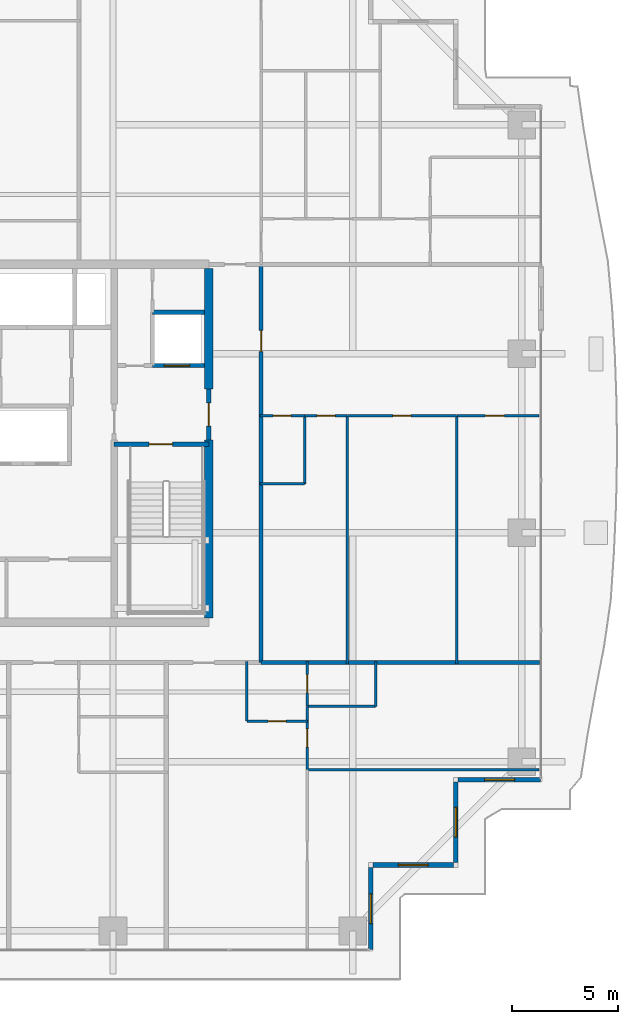
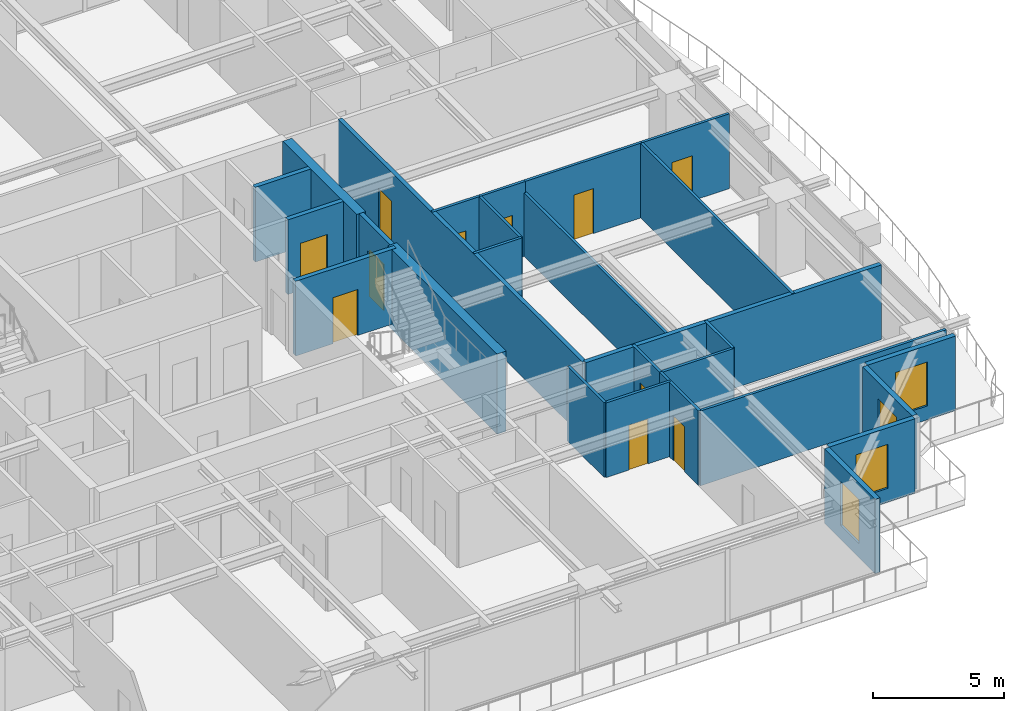
# One storey, part 25 of 33: 27 walls, 11 doors, 4 windows, 15 openings.
"""IFC4 building model written with IfcOpenShell, lengths in metres."""

from ifc_helpers import new_model, si_unit, direction, frame, frame_2d, origin, place, context, subcontext, project, spatial, rectangle, extrude, source, transform, mapped, material, layer, layer_set, type_object, element, fill, save


model = new_model("IFC4")

# Units and contexts
model_context = context("Model", 3, precision=1e-05, world=origin(), true_north=direction((0.0, 1.0)))
body_context = subcontext(model_context, "Body", "Model", "MODEL_VIEW")
ifc_project = project(units=[si_unit("LENGTHUNIT", "METRE"), si_unit("AREAUNIT", "SQUARE_METRE"), si_unit("VOLUMEUNIT", "CUBIC_METRE"), si_unit("PLANEANGLEUNIT", "RADIAN"), si_unit("MASSUNIT", "GRAM", prefix="KILO")], contexts=[model_context])

# Site, building, storey
site_placement = place(None, origin())
site = spatial("IfcSite", under=ifc_project, at=site_placement, CompositionType="ELEMENT")
building_placement = place(site_placement, origin())
building = spatial("IfcBuilding", under=site, at=building_placement, Name="Serunith Strait Residences", CompositionType="ELEMENT")
storey_placement = place(building_placement, frame((0.0, 0.0, 150.14990234375)))
storey = spatial("IfcBuildingStorey", under=building, at=storey_placement, Name="L37", CompositionType="ELEMENT", Elevation=150.14990234375)

# Wall, opening, window
ifc_material_1 = material(Name="Pale-Champagne Aluminium Insulated Panel", Category="aluminium")
ifc_layer_1 = layer(ifc_material_1, 0.219970703125, Name="Pale-Champagne Aluminium Insulated Panel")
ifc_layer_set_1 = layer_set([ifc_layer_1], Name="Pale-Champagne Aluminium Insulated Panel")
wall_type_1 = type_object("IfcWallType", Name="EW-ALUM-220", PredefinedType="ELEMENTEDWALL", material=ifc_layer_set_1)
wall_1_placement = place(storey_placement, frame((49.0, 1.39990234375, 0.0), z_axis=(0.0, 0.0, 1.0), x_axis=(0.0, 1.0, 0.0)))
wall_1 = element("IfcWall", 1, at=wall_1_placement, inside=storey, type_object=wall_type_1, Name="L37 Girih Serrated Corner Wall 02", PredefinedType="ELEMENTEDWALL", context=body_context, shape_type="SweptSolid", body=[
    extrude(rectangle(XDim=3.89013671875, YDim=0.219970703125, at=frame_2d((1.945068359375, 0.0))), origin(), (0.0, 0.0, 1.0), 3.47509765625),
])
opening_1_placement = place(wall_1_placement, frame((1.2451171875, 0.0, 0.64990234375)))
opening_1 = element("IfcOpeningElement", 2, at=opening_1_placement, cuts=wall_1, Name="Opening W-03", PredefinedType="OPENING", context=body_context, shape_type="SweptSolid", body=[
    extrude(rectangle(XDim=1.39990234375, YDim=2.050048828125, at=frame_2d((0.699951171875, 1.02490234375))), frame((0.0, 0.1201171875, 0.0), z_axis=(0.0, -1.0, 0.0), x_axis=(1.0, 0.0, 0.0)), (0.0, 0.0, 1.0), 0.239990234375),
])
ifc_material_2 = material(Name="Ceramic-Fritted Operable Aluminium Window Glass", Category="aluminium")
window_type = type_object("IfcWindowType", Name="WIN-C3", PartitioningType="SINGLE_PANEL", PredefinedType="WINDOW", material=ifc_material_2)
shared_shape_1 = source(origin(), body_context, "Body", "SweptSolid", [
    extrude(rectangle(XDim=1.39990234375, YDim=2.050048828125, at=frame_2d((0.699951171875, 1.02490234375))), frame((0.0, 0.030029296875, 0.0), z_axis=(0.0, -1.0, 0.0), x_axis=(1.0, 0.0, 0.0)), (0.0, 0.0, 1.0), 0.06005859375),
])
window_1_placement = place(opening_1_placement, origin())
window_1 = element("IfcWindow", 3, at=window_1_placement, inside=storey, type_object=window_type, Name="L37 Corner Operable Fritted Window 02", OverallHeight=2.050048828125, OverallWidth=1.39990234375, PartitioningType="SINGLE_PANEL", PredefinedType="WINDOW", context=body_context, shape_type="MappedRepresentation", body=[
    mapped(shared_shape_1, transform((0.0, 0.0, 0.0), scale=1.0)),
])
fill(opening_1, window_1)

wall_2_placement = place(storey_placement, frame((49.110107421875, 5.39990234375, 0.0), z_axis=(0.0, 0.0, 1.0), x_axis=(1.0, 0.0, 0.0)))
wall_2 = element("IfcWall", 4, at=wall_2_placement, inside=storey, type_object=wall_type_1, Name="L37 Girih Serrated Corner Wall 03", PredefinedType="ELEMENTEDWALL", context=body_context, shape_type="SweptSolid", body=[
    extrude(rectangle(XDim=3.77978515625, YDim=0.219970703125, at=frame_2d((1.889892578125, 0.0))), origin(), (0.0, 0.0, 1.0), 3.47509765625),
])
opening_2_placement = place(wall_2_placement, frame((1.18994140625, 0.0, 0.64990234375)))
opening_2 = element("IfcOpeningElement", 5, at=opening_2_placement, cuts=wall_2, Name="Opening W-03", PredefinedType="OPENING", context=body_context, shape_type="SweptSolid", body=[
    extrude(rectangle(XDim=1.39990234375, YDim=2.050048828125, at=frame_2d((0.699951171875, 1.02490234375))), frame((0.0, 0.1201171875, 0.0), z_axis=(0.0, -1.0, 0.0), x_axis=(1.0, 0.0, 0.0)), (0.0, 0.0, 1.0), 0.239990234375),
])
window_2_placement = place(opening_2_placement, origin())
window_2 = element("IfcWindow", 6, at=window_2_placement, inside=storey, type_object=window_type, Name="L37 Corner Operable Fritted Window 03", OverallHeight=2.050048828125, OverallWidth=1.39990234375, PartitioningType="SINGLE_PANEL", PredefinedType="WINDOW", context=body_context, shape_type="MappedRepresentation", body=[
    mapped(shared_shape_1, transform((0.0, 0.0, 0.0), scale=1.0)),
])
fill(opening_2, window_2)

wall_3_placement = place(storey_placement, frame((53.0, 5.510009765625, 0.0), z_axis=(0.0, 0.0, 1.0), x_axis=(0.0, 1.0, 0.0)))
wall_3 = element("IfcWall", 7, at=wall_3_placement, inside=storey, type_object=wall_type_1, Name="L37 Girih Serrated Corner Wall 04", PredefinedType="ELEMENTEDWALL", context=body_context, shape_type="SweptSolid", body=[
    extrude(rectangle(XDim=3.780029296875, YDim=0.219970703125, at=frame_2d((1.89013671875, 0.0))), origin(), (0.0, 0.0, 1.0), 3.47509765625),
])
opening_3_placement = place(wall_3_placement, frame((1.18994140625, 0.0, 0.64990234375)))
opening_3 = element("IfcOpeningElement", 8, at=opening_3_placement, cuts=wall_3, Name="Opening W-03", PredefinedType="OPENING", context=body_context, shape_type="SweptSolid", body=[
    extrude(rectangle(XDim=1.39990234375, YDim=2.050048828125, at=frame_2d((0.699951171875, 1.02490234375))), frame((0.0, 0.1201171875, 0.0), z_axis=(0.0, -1.0, 0.0), x_axis=(1.0, 0.0, 0.0)), (0.0, 0.0, 1.0), 0.239990234375),
])
window_3_placement = place(opening_3_placement, origin())
window_3 = element("IfcWindow", 9, at=window_3_placement, inside=storey, type_object=window_type, Name="L37 Corner Operable Fritted Window 04", OverallHeight=2.050048828125, OverallWidth=1.39990234375, PartitioningType="SINGLE_PANEL", PredefinedType="WINDOW", context=body_context, shape_type="MappedRepresentation", body=[
    mapped(shared_shape_1, transform((0.0, 0.0, 0.0), scale=1.0)),
])
fill(opening_3, window_3)

wall_4_placement = place(storey_placement, frame((53.110107421875, 9.39990234375, 0.0), z_axis=(0.0, 0.0, 1.0), x_axis=(1.0, 0.0, 0.0)))
wall_4 = element("IfcWall", 10, at=wall_4_placement, inside=storey, type_object=wall_type_1, Name="L37 Girih Serrated Corner Wall 05", PredefinedType="ELEMENTEDWALL", context=body_context, shape_type="SweptSolid", body=[
    extrude(rectangle(XDim=3.889892578125, YDim=0.219970703125, at=frame_2d((1.94482421875, 0.0))), origin(), (0.0, 0.0, 1.0), 3.47509765625),
])
opening_4_placement = place(wall_4_placement, frame((1.2451171875, 0.0, 0.64990234375)))
opening_4 = element("IfcOpeningElement", 11, at=opening_4_placement, cuts=wall_4, Name="Opening W-03", PredefinedType="OPENING", context=body_context, shape_type="SweptSolid", body=[
    extrude(rectangle(XDim=1.39990234375, YDim=2.050048828125, at=frame_2d((0.699951171875, 1.02490234375))), frame((0.0, 0.1201171875, 0.0), z_axis=(0.0, -1.0, 0.0), x_axis=(1.0, 0.0, 0.0)), (0.0, 0.0, 1.0), 0.239990234375),
])
window_4_placement = place(opening_4_placement, origin())
window_4 = element("IfcWindow", 12, at=window_4_placement, inside=storey, type_object=window_type, Name="L37 Corner Operable Fritted Window 05", OverallHeight=2.050048828125, OverallWidth=1.39990234375, PartitioningType="SINGLE_PANEL", PredefinedType="WINDOW", context=body_context, shape_type="MappedRepresentation", body=[
    mapped(shared_shape_1, transform((0.0, 0.0, 0.0), scale=1.0)),
])
fill(opening_4, window_4)

# Wall, opening, door
ifc_material_3 = material(Name="Fire-rated acoustic gypsum partition")
ifc_layer_2 = layer(ifc_material_3, 0.179931640625, Name="Fire-rated acoustic gypsum partition")
ifc_layer_set_2 = layer_set([ifc_layer_2], Name="Fire-rated acoustic gypsum partition")
wall_type_2 = type_object("IfcWallType", Name="IW-CORR-180", PredefinedType="PARTITIONING", material=ifc_layer_set_2)
wall_5_placement = place(storey_placement, frame((43.85009765625, 14.89990234375, 0.0), z_axis=(0.0, 0.0, 1.0), x_axis=(0.0, 1.0, 0.0)))
wall_5 = element("IfcWall", 13, at=wall_5_placement, inside=storey, type_object=wall_type_2, Name="L37 Partition Wall 029", PredefinedType="PARTITIONING", context=body_context, shape_type="SweptSolid", body=[
    extrude(rectangle(XDim=18.7001953125, YDim=0.179931640625, at=frame_2d((9.35009765625, 0.0))), origin(), (0.0, 0.0, 1.0), 3.489990234375),
])
opening_5_placement = place(wall_5_placement, frame((14.60302734375, 0.0, 0.0)))
opening_5 = element("IfcOpeningElement", 14, at=opening_5_placement, cuts=wall_5, Name="Opening D-APT1000", PredefinedType="OPENING", context=body_context, shape_type="SweptSolid", body=[
    extrude(rectangle(XDim=1.0, YDim=2.14990234375, at=frame_2d((0.5, 1.074951171875))), frame((0.0, 0.10009765625, 0.0), z_axis=(0.0, -1.0, 0.0), x_axis=(1.0, 0.0, 0.0)), (0.0, 0.0, 1.0), 0.199951171875),
])
ifc_material_4 = material(Name="Solid timber engineered fire door", Category="wood")
door_type_1 = type_object("IfcDoorType", Name="ID-APT-1000", OperationType="NOTDEFINED", PredefinedType="DOOR", material=ifc_material_4)
shared_shape_2 = source(origin(), body_context, "Body", "SweptSolid", [
    extrude(rectangle(XDim=1.0, YDim=2.14990234375, at=frame_2d((0.5, 1.074951171875))), frame((0.0, 0.02490234375, 0.0), z_axis=(0.0, -1.0, 0.0), x_axis=(1.0, 0.0, 0.0)), (0.0, 0.0, 1.0), 0.050048828125),
])
door_1_placement = place(opening_5_placement, origin())
door_1 = element("IfcDoor", 15, at=door_1_placement, inside=storey, type_object=door_type_1, Name="L37 Unit 09 Entrance Door", OperationType="SINGLE_SWING_LEFT", OverallHeight=2.14990234375, OverallWidth=1.0, PredefinedType="DOOR", context=body_context, shape_type="MappedRepresentation", body=[
    mapped(shared_shape_2, transform((0.0, 0.0, 0.0), scale=1.0)),
])
fill(opening_5, door_1)

ifc_material_5 = material(Name="Lightweight steel-stud gypsum partition", Category="steel")
ifc_layer_3 = layer(ifc_material_5, 0.1201171875, Name="Lightweight steel-stud gypsum partition")
ifc_layer_set_3 = layer_set([ifc_layer_3], Name="Lightweight steel-stud gypsum partition")
wall_type_3 = type_object("IfcWallType", Name="IW-PART-120", PredefinedType="PARTITIONING", material=ifc_layer_set_3)
wall_6_placement = place(storey_placement, frame((43.179931640625, 12.14990234375, 0.0), z_axis=(0.0, 0.0, 1.0), x_axis=(1.0, 0.0, 0.0)))
wall_6 = element("IfcWall", 16, at=wall_6_placement, inside=storey, type_object=wall_type_3, Name="L37 Partition Wall 047", PredefinedType="PARTITIONING", context=body_context, shape_type="SweptSolid", body=[
    extrude(rectangle(XDim=2.85009765625, YDim=0.1201171875, at=frame_2d((1.425048828125, 0.0))), origin(), (0.0, 0.0, 1.0), 3.489990234375),
])
opening_6_placement = place(wall_6_placement, frame((1.0, 0.0, 0.0)))
opening_6 = element("IfcOpeningElement", 17, at=opening_6_placement, cuts=wall_6, Name="Opening D-RM850", PredefinedType="OPENING", context=body_context, shape_type="SweptSolid", body=[
    extrude(rectangle(XDim=0.85009765625, YDim=2.10009765625, at=frame_2d((0.425048828125, 1.050048828125))), frame((0.0, 0.070068359375, 0.0), z_axis=(0.0, -1.0, 0.0), x_axis=(1.0, 0.0, 0.0)), (0.0, 0.0, 1.0), 0.14013671875),
])
ifc_material_6 = material(Name="Engineered timber flush study and kitchen door", Category="wood")
door_type_2 = type_object("IfcDoorType", Name="ID-ROOM-850", OperationType="NOTDEFINED", PredefinedType="DOOR", material=ifc_material_6)
shared_shape_3 = source(origin(), body_context, "Body", "SweptSolid", [
    extrude(rectangle(XDim=0.85009765625, YDim=2.10009765625, at=frame_2d((0.425048828125, 1.050048828125))), frame((0.0, 0.02490234375, 0.0), z_axis=(0.0, -1.0, 0.0), x_axis=(1.0, 0.0, 0.0)), (0.0, 0.0, 1.0), 0.050048828125),
])
door_2_placement = place(opening_6_placement, origin())
door_2 = element("IfcDoor", 18, at=door_2_placement, inside=storey, type_object=door_type_2, Name="L37 Kitchen 3704 Door", OperationType="SINGLE_SWING_RIGHT", OverallHeight=2.10009765625, OverallWidth=0.85009765625, PredefinedType="DOOR", context=body_context, shape_type="MappedRepresentation", body=[
    mapped(shared_shape_3, transform((0.0, 0.0, 0.0), scale=1.0)),
])
fill(opening_6, door_2)

# Walls
wall_7_placement = place(storey_placement, frame((43.179931640625, 12.14990234375, 0.0), z_axis=(0.0, 0.0, 1.0), x_axis=(0.0, 1.0, 0.0)))
element("IfcWall", 19, at=wall_7_placement, inside=storey, type_object=wall_type_3, Name="L37 Partition Wall 048", PredefinedType="PARTITIONING", context=body_context, shape_type="SweptSolid", body=[
    extrude(rectangle(XDim=2.81005859375, YDim=0.1201171875, at=frame_2d((1.405029296875, 0.0))), origin(), (0.0, 0.0, 1.0), 3.489990234375),
])
wall_8_placement = place(storey_placement, frame((46.030029296875, 9.873046875, 0.0), z_axis=(0.0, 0.0, 1.0), x_axis=(1.0, 0.0, 0.0)))
element("IfcWall", 20, at=wall_8_placement, inside=storey, type_object=wall_type_3, Name="L37 Partition Wall 050", PredefinedType="PARTITIONING", context=body_context, shape_type="SweptSolid", body=[
    extrude(rectangle(XDim=10.875, YDim=0.1201171875, at=frame_2d((5.4375, 0.0))), origin(), (0.0, 0.0, 1.0), 3.489990234375),
])
wall_9_placement = place(storey_placement, frame((46.030029296875, 12.85009765625, 0.0), z_axis=(0.0, 0.0, 1.0), x_axis=(1.0, 0.0, 0.0)))
element("IfcWall", 21, at=wall_9_placement, inside=storey, type_object=wall_type_3, Name="L37 Partition Wall 051", PredefinedType="PARTITIONING", context=body_context, shape_type="SweptSolid", body=[
    extrude(rectangle(XDim=3.199951171875, YDim=0.1201171875, at=frame_2d((1.60009765625, 0.0))), origin(), (0.0, 0.0, 1.0), 3.489990234375),
])
wall_10_placement = place(storey_placement, frame((49.22998046875, 12.85009765625, 0.0), z_axis=(0.0, 0.0, 1.0), x_axis=(0.0, 1.0, 0.0)))
element("IfcWall", 22, at=wall_10_placement, inside=storey, type_object=wall_type_3, Name="L37 Partition Wall 052", PredefinedType="PARTITIONING", context=body_context, shape_type="SweptSolid", body=[
    extrude(rectangle(XDim=2.10986328125, YDim=0.1201171875, at=frame_2d((1.054931640625, 0.0))), origin(), (0.0, 0.0, 1.0), 3.489990234375),
])

# Wall, opening, door
wall_11_placement = place(storey_placement, frame((46.030029296875, 9.875, 0.0), z_axis=(0.0, 0.0, 1.0), x_axis=(0.0, 1.0, 0.0)))
wall_11 = element("IfcWall", 23, at=wall_11_placement, inside=storey, type_object=wall_type_3, Name="L37 Partition Wall 053", PredefinedType="PARTITIONING", context=body_context, shape_type="SweptSolid", body=[
    extrude(rectangle(XDim=2.97509765625, YDim=0.1201171875, at=frame_2d((1.487548828125, 0.0))), origin(), (0.0, 0.0, 1.0), 3.489990234375),
])
opening_7_placement = place(wall_11_placement, frame((1.06201171875, 0.0, 0.0)))
opening_7 = element("IfcOpeningElement", 24, at=opening_7_placement, cuts=wall_11, Name="Opening D-RM850", PredefinedType="OPENING", context=body_context, shape_type="SweptSolid", body=[
    extrude(rectangle(XDim=0.85009765625, YDim=2.10009765625, at=frame_2d((0.425048828125, 1.050048828125))), frame((0.0, 0.070068359375, 0.0), z_axis=(0.0, -1.0, 0.0), x_axis=(1.0, 0.0, 0.0)), (0.0, 0.0, 1.0), 0.14013671875),
])
door_3_placement = place(opening_7_placement, origin())
door_3 = element("IfcDoor", 25, at=door_3_placement, inside=storey, type_object=door_type_2, Name="L37 Walk-in Wardrobe 3704 Door", OperationType="SINGLE_SWING_RIGHT", OverallHeight=2.10009765625, OverallWidth=0.85009765625, PredefinedType="DOOR", context=body_context, shape_type="MappedRepresentation", body=[
    mapped(shared_shape_3, transform((0.0, 0.0, 0.0), scale=1.0)),
])
fill(opening_7, door_3)

wall_12_placement = place(storey_placement, frame((46.030029296875, 12.85205078125, 0.0), z_axis=(0.0, 0.0, 1.0), x_axis=(0.0, 1.0, 0.0)))
wall_12 = element("IfcWall", 26, at=wall_12_placement, inside=storey, type_object=wall_type_3, Name="L37 Partition Wall 054", PredefinedType="PARTITIONING", context=body_context, shape_type="SweptSolid", body=[
    extrude(rectangle(XDim=2.10791015625, YDim=0.1201171875, at=frame_2d((1.053955078125, 0.0))), origin(), (0.0, 0.0, 1.0), 3.489990234375),
])
opening_8_placement = place(wall_12_placement, frame((0.62890625, 0.0, 0.0)))
opening_8 = element("IfcOpeningElement", 27, at=opening_8_placement, cuts=wall_12, Name="Opening D-BTH850", PredefinedType="OPENING", context=body_context, shape_type="SweptSolid", body=[
    extrude(rectangle(XDim=0.85009765625, YDim=2.10009765625, at=frame_2d((0.425048828125, 1.050048828125))), frame((0.0, 0.070068359375, 0.0), z_axis=(0.0, -1.0, 0.0), x_axis=(1.0, 0.0, 0.0)), (0.0, 0.0, 1.0), 0.14013671875),
])
ifc_material_7 = material(Name="Moisture-resistant timber bathroom door", Category="wood")
door_type_3 = type_object("IfcDoorType", Name="ID-BATH-850", OperationType="NOTDEFINED", PredefinedType="DOOR", material=ifc_material_7)
door_4_placement = place(opening_8_placement, origin())
door_4 = element("IfcDoor", 28, at=door_4_placement, inside=storey, type_object=door_type_3, Name="L37 Bathroom 3704 Door", OperationType="SINGLE_SWING_LEFT", OverallHeight=2.10009765625, OverallWidth=0.85009765625, PredefinedType="DOOR", context=body_context, shape_type="MappedRepresentation", body=[
    mapped(shared_shape_3, transform((0.0, 0.0, 0.0), scale=1.0)),
])
fill(opening_8, door_4)

wall_13_placement = place(storey_placement, frame((56.905029296875, 26.489990234375, 0.0), z_axis=(0.0, 0.0, 1.0), x_axis=(-1.0, 0.0, 0.0)))
wall_13 = element("IfcWall", 29, at=wall_13_placement, inside=storey, type_object=wall_type_3, Name="L37 Partition Wall 089", PredefinedType="PARTITIONING", context=body_context, shape_type="SweptSolid", body=[
    extrude(rectangle(XDim=3.864013671875, YDim=0.1201171875, at=frame_2d((1.93212890625, 0.0))), origin(), (0.0, 0.0, 1.0), 3.489990234375),
])
opening_9_placement = place(wall_13_placement, frame((1.6298828125, 0.0, 0.0)))
opening_9 = element("IfcOpeningElement", 30, at=opening_9_placement, cuts=wall_13, Name="Opening D-RM900", PredefinedType="OPENING", context=body_context, shape_type="SweptSolid", body=[
    extrude(rectangle(XDim=0.89990234375, YDim=2.10009765625, at=frame_2d((0.449951171875, 1.050048828125))), frame((0.0, 0.070068359375, 0.0), z_axis=(0.0, -1.0, 0.0), x_axis=(1.0, 0.0, 0.0)), (0.0, 0.0, 1.0), 0.14013671875),
])
ifc_material_8 = material(Name="Engineered timber flush bedroom door", Category="wood")
door_type_4 = type_object("IfcDoorType", Name="ID-ROOM-900", OperationType="NOTDEFINED", PredefinedType="DOOR", material=ifc_material_8)
shared_shape_4 = source(origin(), body_context, "Body", "SweptSolid", [
    extrude(rectangle(XDim=0.89990234375, YDim=2.10009765625, at=frame_2d((0.449951171875, 1.050048828125))), frame((0.0, 0.02490234375, 0.0), z_axis=(0.0, -1.0, 0.0), x_axis=(1.0, 0.0, 0.0)), (0.0, 0.0, 1.0), 0.050048828125),
])
door_5_placement = place(opening_9_placement, origin())
door_5 = element("IfcDoor", 31, at=door_5_placement, inside=storey, type_object=door_type_4, Name="L37 Master Bedroom 1 3709 Door", OperationType="SINGLE_SWING_RIGHT", OverallHeight=2.10009765625, OverallWidth=0.89990234375, PredefinedType="DOOR", context=body_context, shape_type="MappedRepresentation", body=[
    mapped(shared_shape_4, transform((0.0, 0.0, 0.0), scale=1.0)),
])
fill(opening_9, door_5)

# Walls
wall_14_placement = place(storey_placement, frame((53.041015625, 14.840087890625, 0.0), z_axis=(0.0, 0.0, 1.0), x_axis=(0.0, 1.0, 0.0)))
element("IfcWall", 32, at=wall_14_placement, inside=storey, type_object=wall_type_3, Name="L37 Partition Wall 090", PredefinedType="PARTITIONING", context=body_context, shape_type="SweptSolid", body=[
    extrude(rectangle(XDim=11.64990234375, YDim=0.1201171875, at=frame_2d((5.824951171875, 0.0))), origin(), (0.0, 0.0, 1.0), 3.489990234375),
])
wall_15_placement = place(storey_placement, frame((47.89990234375, 14.840087890625, 0.0), z_axis=(0.0, 0.0, 1.0), x_axis=(0.0, 1.0, 0.0)))
element("IfcWall", 33, at=wall_15_placement, inside=storey, type_object=wall_type_3, Name="L37 Partition Wall 091", PredefinedType="PARTITIONING", context=body_context, shape_type="SweptSolid", body=[
    extrude(rectangle(XDim=11.64990234375, YDim=0.1201171875, at=frame_2d((5.824951171875, 0.0))), origin(), (0.0, 0.0, 1.0), 2.97216796875),
])
wall_16_placement = place(storey_placement, frame((45.89990234375, 23.2900390625, 0.0), z_axis=(0.0, 0.0, 1.0), x_axis=(0.0, 1.0, 0.0)))
element("IfcWall", 34, at=wall_16_placement, inside=storey, type_object=wall_type_3, Name="L37 Partition Wall 092", PredefinedType="PARTITIONING", context=body_context, shape_type="SweptSolid", body=[
    extrude(rectangle(XDim=3.199951171875, YDim=0.1201171875, at=frame_2d((1.60009765625, 0.0))), origin(), (0.0, 0.0, 1.0), 3.489990234375),
])
wall_17_placement = place(storey_placement, frame((45.89990234375, 23.2900390625, 0.0), z_axis=(0.0, 0.0, 1.0), x_axis=(-1.0, 0.0, 0.0)))
element("IfcWall", 35, at=wall_17_placement, inside=storey, type_object=wall_type_3, Name="L37 Partition Wall 093", PredefinedType="PARTITIONING", context=body_context, shape_type="SweptSolid", body=[
    extrude(rectangle(XDim=2.10986328125, YDim=0.1201171875, at=frame_2d((1.054931640625, 0.0))), origin(), (0.0, 0.0, 1.0), 3.489990234375),
])

# Wall, opening, door
wall_18_placement = place(storey_placement, frame((53.0390625, 26.489990234375, 0.0), z_axis=(0.0, 0.0, 1.0), x_axis=(-1.0, 0.0, 0.0)))
wall_18 = element("IfcWall", 36, at=wall_18_placement, inside=storey, type_object=wall_type_3, Name="L37 Partition Wall 094", PredefinedType="PARTITIONING", context=body_context, shape_type="SweptSolid", body=[
    extrude(rectangle(XDim=5.13916015625, YDim=0.1201171875, at=frame_2d((2.569580078125, 0.0))), origin(), (0.0, 0.0, 1.0), 3.489990234375),
])
opening_10_placement = place(wall_18_placement, frame((2.14501953125, 0.0, 0.0)))
opening_10 = element("IfcOpeningElement", 37, at=opening_10_placement, cuts=wall_18, Name="Opening D-RM850", PredefinedType="OPENING", context=body_context, shape_type="SweptSolid", body=[
    extrude(rectangle(XDim=0.85009765625, YDim=2.10009765625, at=frame_2d((0.425048828125, 1.050048828125))), frame((0.0, 0.070068359375, 0.0), z_axis=(0.0, -1.0, 0.0), x_axis=(1.0, 0.0, 0.0)), (0.0, 0.0, 1.0), 0.14013671875),
])
door_6_placement = place(opening_10_placement, origin())
door_6 = element("IfcDoor", 38, at=door_6_placement, inside=storey, type_object=door_type_2, Name="L37 Dining 3709 Door", OperationType="SINGLE_SWING_LEFT", OverallHeight=2.10009765625, OverallWidth=0.85009765625, PredefinedType="DOOR", context=body_context, shape_type="MappedRepresentation", body=[
    mapped(shared_shape_3, transform((0.0, 0.0, 0.0), scale=1.0)),
])
fill(opening_10, door_6)

wall_19_placement = place(storey_placement, frame((47.89794921875, 26.489990234375, 0.0), z_axis=(0.0, 0.0, 1.0), x_axis=(-1.0, 0.0, 0.0)))
wall_19 = element("IfcWall", 39, at=wall_19_placement, inside=storey, type_object=wall_type_3, Name="L37 Partition Wall 095", PredefinedType="PARTITIONING", context=body_context, shape_type="SweptSolid", body=[
    extrude(rectangle(XDim=1.998046875, YDim=0.1201171875, at=frame_2d((0.9990234375, 0.0))), origin(), (0.0, 0.0, 1.0), 3.489990234375),
])
opening_11_placement = place(wall_19_placement, frame((0.573974609375, 0.0, 0.0)))
opening_11 = element("IfcOpeningElement", 40, at=opening_11_placement, cuts=wall_19, Name="Opening D-RM850", PredefinedType="OPENING", context=body_context, shape_type="SweptSolid", body=[
    extrude(rectangle(XDim=0.85009765625, YDim=2.10009765625, at=frame_2d((0.425048828125, 1.050048828125))), frame((0.0, 0.070068359375, 0.0), z_axis=(0.0, -1.0, 0.0), x_axis=(1.0, 0.0, 0.0)), (0.0, 0.0, 1.0), 0.14013671875),
])
door_7_placement = place(opening_11_placement, origin())
door_7 = element("IfcDoor", 41, at=door_7_placement, inside=storey, type_object=door_type_2, Name="L37 Kitchen 3709 Door", OperationType="SINGLE_SWING_RIGHT", OverallHeight=2.10009765625, OverallWidth=0.85009765625, PredefinedType="DOOR", context=body_context, shape_type="MappedRepresentation", body=[
    mapped(shared_shape_3, transform((0.0, 0.0, 0.0), scale=1.0)),
])
fill(opening_11, door_7)

wall_20_placement = place(storey_placement, frame((45.89794921875, 26.489990234375, 0.0), z_axis=(0.0, 0.0, 1.0), x_axis=(-1.0, 0.0, 0.0)))
wall_20 = element("IfcWall", 42, at=wall_20_placement, inside=storey, type_object=wall_type_3, Name="L37 Partition Wall 096", PredefinedType="PARTITIONING", context=body_context, shape_type="SweptSolid", body=[
    extrude(rectangle(XDim=2.10791015625, YDim=0.1201171875, at=frame_2d((1.053955078125, 0.0))), origin(), (0.0, 0.0, 1.0), 3.489990234375),
])
opening_12_placement = place(wall_20_placement, frame((0.62890625, 0.0, 0.0)))
opening_12 = element("IfcOpeningElement", 43, at=opening_12_placement, cuts=wall_20, Name="Opening D-BTH850", PredefinedType="OPENING", context=body_context, shape_type="SweptSolid", body=[
    extrude(rectangle(XDim=0.85009765625, YDim=2.10009765625, at=frame_2d((0.425048828125, 1.050048828125))), frame((0.0, 0.070068359375, 0.0), z_axis=(0.0, -1.0, 0.0), x_axis=(1.0, 0.0, 0.0)), (0.0, 0.0, 1.0), 0.14013671875),
])
door_8_placement = place(opening_12_placement, origin())
door_8 = element("IfcDoor", 44, at=door_8_placement, inside=storey, type_object=door_type_3, Name="L37 Bathroom 3709 Door", OperationType="SINGLE_SWING_LEFT", OverallHeight=2.10009765625, OverallWidth=0.85009765625, PredefinedType="DOOR", context=body_context, shape_type="MappedRepresentation", body=[
    mapped(shared_shape_3, transform((0.0, 0.0, 0.0), scale=1.0)),
])
fill(opening_12, door_8)

# Wall
ifc_material_9 = material(Name="Twin-stud acoustic gypsum board partition")
ifc_layer_4 = layer(ifc_material_9, 0.199951171875, Name="Twin-stud acoustic gypsum board partition")
ifc_layer_set_4 = layer_set([ifc_layer_4], Name="Twin-stud acoustic gypsum board partition")
wall_type_4 = type_object("IfcWallType", Name="IW-PARTY-200", PredefinedType="PARTITIONING", material=ifc_layer_set_4)
wall_21_placement = place(storey_placement, frame((43.85009765625, 14.89990234375, 0.0), z_axis=(0.0, 0.0, 1.0), x_axis=(1.0, 0.0, 0.0)))
element("IfcWall", 45, at=wall_21_placement, inside=storey, type_object=wall_type_4, Name="L37 Partition Wall 024", PredefinedType="PARTITIONING", context=body_context, shape_type="SweptSolid", body=[
    extrude(rectangle(XDim=13.06787109375, YDim=0.199951171875, at=frame_2d((6.533935546875, 0.0))), origin(), (0.0, 0.0, 1.0), 3.489990234375),
])

# Wall, opening, door
ifc_material_10 = material(Name="Autoclaved aerated concrete blockwork", Category="masonry")
ifc_layer_5 = layer(ifc_material_10, 0.199951171875, Name="Autoclaved aerated concrete blockwork")
ifc_layer_set_5 = layer_set([ifc_layer_5], Name="Autoclaved aerated concrete blockwork")
wall_type_5 = type_object("IfcWallType", Name="IW-SHAFT-200", PredefinedType="STANDARD", material=ifc_layer_set_5)
wall_22_placement = place(storey_placement, frame((36.949951171875, 25.14990234375, 0.0), z_axis=(0.0, 0.0, 1.0), x_axis=(1.0, 0.0, 0.0)))
wall_22 = element("IfcWall", 46, at=wall_22_placement, inside=storey, type_object=wall_type_5, Name="L37 ST-2 North Shaft Wall", PredefinedType="STANDARD", context=body_context, shape_type="SweptSolid", body=[
    extrude(rectangle(XDim=4.449951171875, YDim=0.199951171875, at=frame_2d((2.22509765625, 0.0))), origin(), (0.0, 0.0, 1.0), 3.489990234375),
])
opening_13_placement = place(wall_22_placement, frame((1.64990234375, 0.0, 0.0)))
opening_13 = element("IfcOpeningElement", 47, at=opening_13_placement, cuts=wall_22, Name="Opening FD-1100", PredefinedType="OPENING", context=body_context, shape_type="SweptSolid", body=[
    extrude(rectangle(XDim=1.10009765625, YDim=2.14990234375, at=frame_2d((0.550048828125, 1.074951171875))), frame((0.0, 0.10986328125, 0.0), z_axis=(0.0, -1.0, 0.0), x_axis=(1.0, 0.0, 0.0)), (0.0, 0.0, 1.0), 0.219970703125),
])
ifc_material_11 = material(Name="Galvanised steel fire door leaf", Category="steel")
door_type_5 = type_object("IfcDoorType", Name="FD-STAIR-1100", OperationType="NOTDEFINED", PredefinedType="DOOR", material=ifc_material_11)
shared_shape_5 = source(origin(), body_context, "Body", "SweptSolid", [
    extrude(rectangle(XDim=1.10009765625, YDim=2.14990234375, at=frame_2d((0.550048828125, 1.074951171875))), frame((0.0, 0.02490234375, 0.0), z_axis=(0.0, -1.0, 0.0), x_axis=(1.0, 0.0, 0.0)), (0.0, 0.0, 1.0), 0.050048828125),
])
door_9_placement = place(opening_13_placement, origin())
door_9 = element("IfcDoor", 48, at=door_9_placement, inside=storey, type_object=door_type_5, Name="L37 ST-2 Escape Stair Door", OperationType="SINGLE_SWING_RIGHT", OverallHeight=2.14990234375, OverallWidth=1.10009765625, PredefinedType="DOOR", context=body_context, shape_type="MappedRepresentation", body=[
    mapped(shared_shape_5, transform((0.0, 0.0, 0.0), scale=1.0)),
])
fill(opening_13, door_9)

wall_23_placement = place(storey_placement, frame((38.75, 28.85009765625, 0.0), z_axis=(0.0, 0.0, 1.0), x_axis=(1.0, 0.0, 0.0)))
wall_23 = element("IfcWall", 49, at=wall_23_placement, inside=storey, type_object=wall_type_5, Name="L37 FL-2 South Shaft Wall", PredefinedType="STANDARD", context=body_context, shape_type="SweptSolid", body=[
    extrude(rectangle(XDim=2.449951171875, YDim=0.199951171875, at=frame_2d((1.22509765625, 0.0))), origin(), (0.0, 0.0, 1.0), 3.489990234375),
])
opening_14_placement = place(wall_23_placement, frame((0.550048828125, 0.0, 0.0)))
opening_14 = element("IfcOpeningElement", 50, at=opening_14_placement, cuts=wall_23, Name="Opening LD-FF1200", PredefinedType="OPENING", context=body_context, shape_type="SweptSolid", body=[
    extrude(rectangle(XDim=1.199951171875, YDim=2.199951171875, at=frame_2d((0.60009765625, 1.10009765625))), frame((0.0, 0.10986328125, 0.0), z_axis=(0.0, -1.0, 0.0), x_axis=(1.0, 0.0, 0.0)), (0.0, 0.0, 1.0), 0.219970703125),
])
ifc_material_12 = material(Name="Brushed stainless steel landing door", Category="steel")
door_type_6 = type_object("IfcDoorType", Name="LD-FF-1200", OperationType="DOUBLE_DOOR_SLIDING", PredefinedType="DOOR", material=ifc_material_12)
shared_shape_6 = source(origin(), body_context, "Body", "SweptSolid", [
    extrude(rectangle(XDim=1.199951171875, YDim=2.199951171875, at=frame_2d((0.60009765625, 1.10009765625))), frame((0.0, 0.02490234375, 0.0), z_axis=(0.0, -1.0, 0.0), x_axis=(1.0, 0.0, 0.0)), (0.0, 0.0, 1.0), 0.050048828125),
])
door_10_placement = place(opening_14_placement, origin())
door_10 = element("IfcDoor", 51, at=door_10_placement, inside=storey, type_object=door_type_6, Name="L37 FL-2 Landing Door", OperationType="DOUBLE_DOOR_SLIDING", OverallHeight=2.199951171875, OverallWidth=1.199951171875, PredefinedType="DOOR", context=body_context, shape_type="MappedRepresentation", body=[
    mapped(shared_shape_6, transform((0.0, 0.0, 0.0), scale=1.0)),
])
fill(opening_14, door_10)

# Wall
wall_24_placement = place(storey_placement, frame((38.75, 31.35009765625, 0.0), z_axis=(0.0, 0.0, 1.0), x_axis=(1.0, 0.0, 0.0)))
element("IfcWall", 52, at=wall_24_placement, inside=storey, type_object=wall_type_5, Name="L37 Partition Wall 005", PredefinedType="STANDARD", context=body_context, shape_type="SweptSolid", body=[
    extrude(rectangle(XDim=2.449951171875, YDim=0.199951171875, at=frame_2d((1.22509765625, 0.0))), origin(), (0.0, 0.0, 1.0), 3.489990234375),
])

# Wall, opening, door
wall_25_placement = place(storey_placement, frame((41.39990234375, 25.35205078125, 0.0), z_axis=(0.0, 0.0, 1.0), x_axis=(0.0, 1.0, 0.0)))
wall_25 = element("IfcWall", 53, at=wall_25_placement, inside=storey, type_object=wall_type_5, Name="L37 Partition Wall 008", PredefinedType="STANDARD", context=body_context, shape_type="SweptSolid", body=[
    extrude(rectangle(XDim=2.39599609375, YDim=0.199951171875, at=frame_2d((1.197998046875, 0.0))), origin(), (0.0, 0.0, 1.0), 3.489990234375),
])
opening_15_placement = place(wall_25_placement, frame((0.64794921875, 0.0, 0.0)))
opening_15 = element("IfcOpeningElement", 54, at=opening_15_placement, cuts=wall_25, Name="Opening FD-FFL", PredefinedType="OPENING", context=body_context, shape_type="SweptSolid", body=[
    extrude(rectangle(XDim=1.10009765625, YDim=2.14990234375, at=frame_2d((0.550048828125, 1.074951171875))), frame((0.0, 0.10986328125, 0.0), z_axis=(0.0, -1.0, 0.0), x_axis=(1.0, 0.0, 0.0)), (0.0, 0.0, 1.0), 0.219970703125),
])
ifc_material_13 = material(Name="Glazed steel smoke-lobby fire door", Category="steel")
door_type_7 = type_object("IfcDoorType", Name="FD-FFL-1100", OperationType="NOTDEFINED", PredefinedType="DOOR", material=ifc_material_13)
door_11_placement = place(opening_15_placement, origin())
door_11 = element("IfcDoor", 55, at=door_11_placement, inside=storey, type_object=door_type_7, Name="L37 FFL-2 Corridor Fire Door", OperationType="SINGLE_SWING_LEFT", OverallHeight=2.14990234375, OverallWidth=1.10009765625, PredefinedType="DOOR", context=body_context, shape_type="MappedRepresentation", body=[
    mapped(shared_shape_5, transform((0.0, 0.0, 0.0), scale=1.0)),
])
fill(opening_15, door_11)

# Walls
ifc_material_14 = material(Name="Concrete C70/85", Category="concrete")
ifc_layer_6 = layer(ifc_material_14, 0.39990234375, Name="Concrete C70/85")
ifc_layer_set_6 = layer_set([ifc_layer_6], Name="Concrete C70/85")
wall_type_6 = type_object("IfcWallType", Name="SW-400-C70", PredefinedType="SHEAR", material=ifc_layer_set_6)
wall_26_placement = place(storey_placement, frame((41.39990234375, 17.0, -0.260009765625), z_axis=(0.0, 0.0, 1.0), x_axis=(0.0, 1.0, 0.0)))
element("IfcWall", 56, at=wall_26_placement, inside=storey, type_object=wall_type_6, Name="L37 Core East Shear Wall South Pier", PredefinedType="SHEAR", context=body_context, shape_type="SweptSolid", body=[
    extrude(rectangle(XDim=8.35009765625, YDim=0.39990234375, at=frame_2d((4.175048828125, 0.0))), origin(), (0.0, 0.0, 1.0), 3.748046875),
])
wall_27_placement = place(storey_placement, frame((41.39990234375, 27.75, -0.260009765625), z_axis=(0.0, 0.0, 1.0), x_axis=(0.0, 1.0, 0.0)))
element("IfcWall", 57, at=wall_27_placement, inside=storey, type_object=wall_type_6, Name="L37 Core East Shear Wall North Pier", PredefinedType="SHEAR", context=body_context, shape_type="SweptSolid", body=[
    extrude(rectangle(XDim=5.64990234375, YDim=0.39990234375, at=frame_2d((2.824951171875, 0.0))), origin(), (0.0, 0.0, 1.0), 3.748046875),
])

save(model, "model.ifc")
